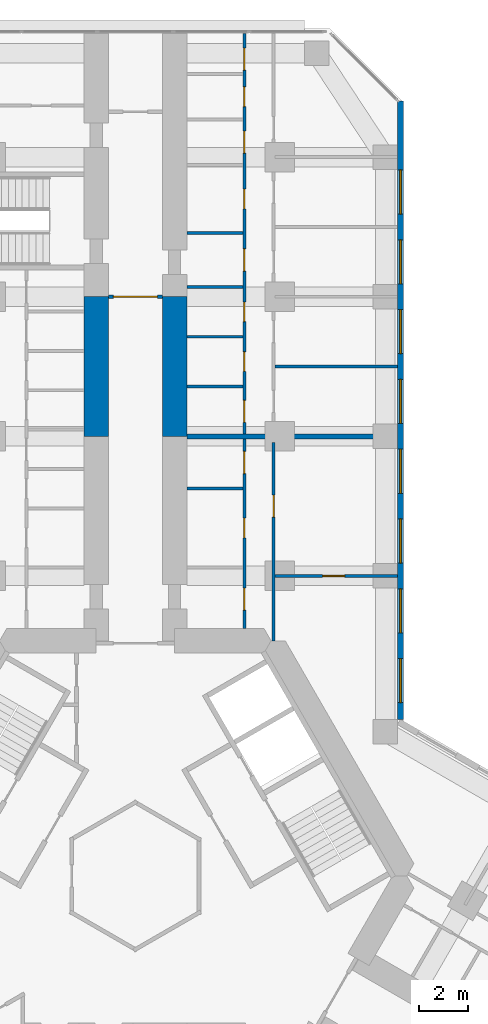
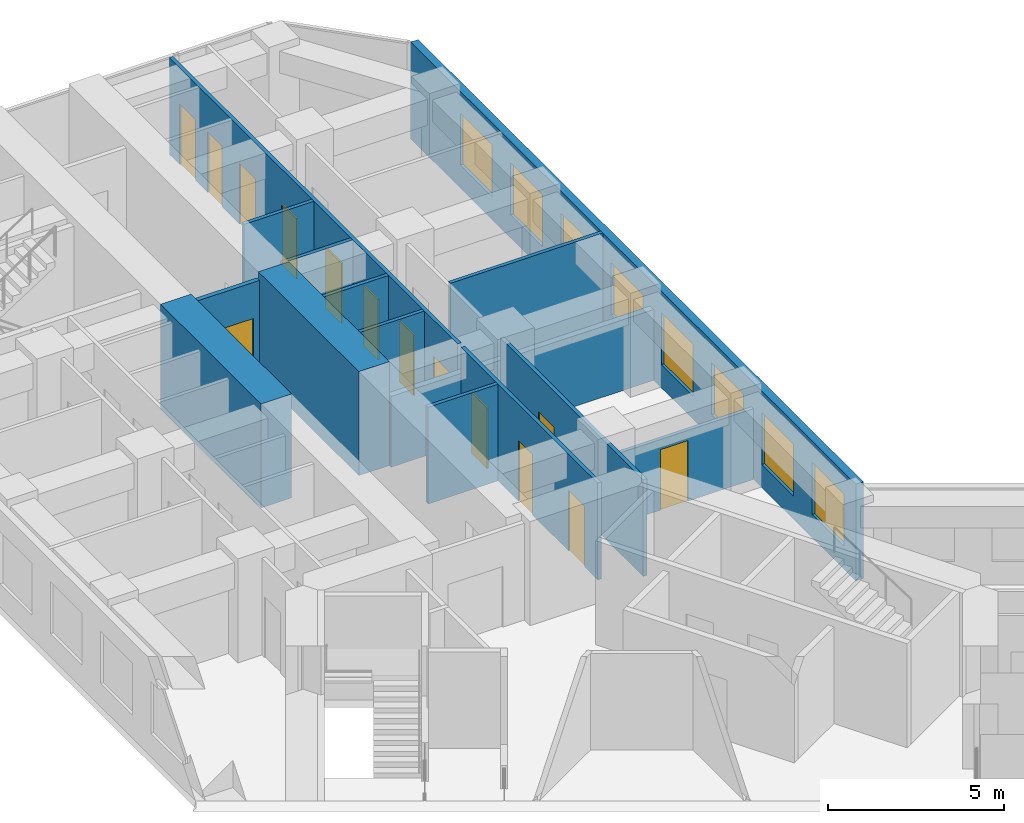
# One storey, part 18 of 21: 15 walls, 14 doors, 8 windows, 22 openings.
"""IFC4 building model written with IfcOpenShell, lengths in metres."""

from ifc_helpers import new_model, si_unit, direction, frame, frame_2d, origin, place, context, subcontext, project, spatial, rectangle, extrude, material, layer, layer_set, type_object, element, fill, save


model = new_model("IFC4")

# Units and contexts
model_context = context("Model", 3, precision=1e-05, world=origin(), true_north=direction((0.0, 1.0)))
body_context = subcontext(model_context, "Body", "Model", "MODEL_VIEW")
ifc_project = project(units=[si_unit("LENGTHUNIT", "METRE"), si_unit("AREAUNIT", "SQUARE_METRE"), si_unit("VOLUMEUNIT", "CUBIC_METRE"), si_unit("PLANEANGLEUNIT", "RADIAN"), si_unit("MASSUNIT", "GRAM", prefix="KILO")], contexts=[model_context])

# Site, building, storey
site_placement = place(None, origin())
site = spatial("IfcSite", under=ifc_project, at=site_placement, CompositionType="ELEMENT")
building_placement = place(site_placement, origin())
building = spatial("IfcBuilding", under=site, at=building_placement, Name="Kosmar Iwan School Tower", CompositionType="ELEMENT")
storey_placement = place(building_placement, frame((0.0, 0.0, 46.60009765625)))
storey = spatial("IfcBuildingStorey", under=building, at=storey_placement, Name="L10", CompositionType="ELEMENT", Elevation=46.60009765625)

# Walls
ifc_material_1 = material(Name="Concrete C50/60", Category="concrete")
ifc_layer_1 = layer(ifc_material_1, 1.0)
ifc_layer_set_1 = layer_set([ifc_layer_1], Name="Corridor buttress wall 1000")
wall_type_1 = type_object("IfcWallType", Name="Corridor buttress wall 1000", PredefinedType="SHEAR", material=ifc_layer_set_1)
for number, where, z_axis, x_axis, name in (
    (1, (-1.60009765625, 17.949951171875, 0.0), (0.0, 0.0, 1.0), (0.0, 1.0, 0.0), "Corridor wall AL bay 2"),
    (2, (1.60009765625, 17.949951171875, 0.0), (0.0, 0.0, 1.0), (0.0, 1.0, 0.0), "Corridor wall AR bay 2"),
):
    element("IfcWall", number, at=place(storey_placement, frame(where, z_axis=z_axis, x_axis=x_axis)), inside=storey, type_object=wall_type_1, Name=name, PredefinedType="SHEAR", context=body_context, shape_type="SweptSolid", body=[
        extrude(rectangle(XDim=5.699951171875, YDim=1.0, at=frame_2d((2.85009765625, 0.0))), origin(), (0.0, 0.0, 1.0), 3.599853515625),
    ])

# Wall, opening, door
ifc_material_2 = material(Name="Gypsum board on steel studs, fire-rated", Category="steel")
ifc_layer_2 = layer(ifc_material_2, 0.14990234375)
ifc_layer_set_2 = layer_set([ifc_layer_2], Name="Corridor end wall 150")
wall_type_2 = type_object("IfcWallType", Name="Corridor end wall 150", PredefinedType="PARTITIONING", material=ifc_layer_set_2)
wall_1_placement = place(storey_placement, frame((1.10009765625, 23.64990234375, 0.0), z_axis=(0.0, 0.0, 1.0), x_axis=(-1.0, 0.0, 0.0)))
wall_1 = element("IfcWall", 3, at=wall_1_placement, inside=storey, type_object=wall_type_2, Name="Partition L10-A-HW", PredefinedType="PARTITIONING", context=body_context, shape_type="SweptSolid", body=[
    extrude(rectangle(XDim=2.2001953125, YDim=0.14990234375, at=frame_2d((1.10009765625, 0.0))), origin(), (0.0, 0.0, 1.0), 3.349853515625),
])
opening_1_placement = place(wall_1_placement, frame((0.199951171875, 0.0, 0.0)))
opening_1 = element("IfcOpeningElement", 4, at=opening_1_placement, cuts=wall_1, Name="Opening D9", PredefinedType="OPENING", context=body_context, shape_type="SweptSolid", body=[
    extrude(rectangle(XDim=1.800048828125, YDim=2.10009765625, at=frame_2d((0.89990234375, 1.050048828125))), frame((0.0, 0.0869140625, 0.0), z_axis=(0.0, -1.0, 0.0), x_axis=(1.0, 0.0, 0.0)), (0.0, 0.0, 1.0), 0.173828125),
])
ifc_material_3 = material(Name="Steel framed glazed smoke door", Category="steel")
door_type_1 = type_object("IfcDoorType", Name="Corridor smoke door pair 1800x2100", OperationType="DOUBLE_DOOR_DOUBLE_SWING", PredefinedType="DOOR", material=ifc_material_3)
door_1_placement = place(opening_1_placement, origin())
door_1 = element("IfcDoor", 5, at=door_1_placement, inside=storey, type_object=door_type_1, Name="Entrance vestibule smoke doors L10-A", OperationType="DOUBLE_DOOR_DOUBLE_SWING", OverallHeight=2.10009765625, OverallWidth=1.800048828125, PredefinedType="DOOR", context=body_context, shape_type="SweptSolid", body=[
    extrude(rectangle(XDim=1.800048828125, YDim=2.10009765625, at=frame_2d((0.89990234375, 1.050048828125))), frame((0.0, 0.02490234375, 0.0), z_axis=(0.0, -1.0, 0.0), x_axis=(1.0, 0.0, 0.0)), (0.0, 0.0, 1.0), 0.050048828125),
])
fill(opening_1, door_1)

# Wall, openings, doors
ifc_material_4 = material(Name="Gypsum board on steel studs", Category="steel")
ifc_layer_3 = layer(ifc_material_4, 0.1201171875)
ifc_layer_set_3 = layer_set([ifc_layer_3], Name="Dwelling partition 120")
wall_type_3 = type_object("IfcWallType", Name="Dwelling partition 120", PredefinedType="PARTITIONING", material=ifc_layer_set_3)
wall_2_placement = place(storey_placement, frame((4.449951171875, 10.10009765625, 0.0), z_axis=(0.0, 0.0, 1.0), x_axis=(0.0, 1.0, 0.0)))
wall_2 = element("IfcWall", 6, at=wall_2_placement, inside=storey, type_object=wall_type_3, Name="Partition L10-AR1-W1", PredefinedType="PARTITIONING", context=body_context, shape_type="SweptSolid", body=[
    extrude(rectangle(XDim=7.75, YDim=0.1201171875, at=frame_2d((3.875, 0.0))), origin(), (0.0, 0.0, 1.0), 3.349853515625),
])
opening_2_placement = place(wall_2_placement, frame((0.75, 0.0, 0.0)))
opening_2 = element("IfcOpeningElement", 7, at=opening_2_placement, cuts=wall_2, Name="Opening D2", PredefinedType="OPENING", context=body_context, shape_type="SweptSolid", body=[
    extrude(rectangle(XDim=0.89990234375, YDim=2.10009765625, at=frame_2d((0.449951171875, 1.050048828125))), frame((0.0, 0.072021484375, 0.0), z_axis=(0.0, -1.0, 0.0), x_axis=(1.0, 0.0, 0.0)), (0.0, 0.0, 1.0), 0.14404296875),
])
opening_3_placement = place(wall_2_placement, frame((3.705078125, 0.0, 0.0)))
opening_3 = element("IfcOpeningElement", 8, at=opening_3_placement, cuts=wall_2, Name="Opening D3", PredefinedType="OPENING", context=body_context, shape_type="SweptSolid", body=[
    extrude(rectangle(XDim=0.800048828125, YDim=2.10009765625, at=frame_2d((0.39990234375, 1.050048828125))), frame((0.0, 0.072021484375, 0.0), z_axis=(0.0, -1.0, 0.0), x_axis=(1.0, 0.0, 0.0)), (0.0, 0.0, 1.0), 0.14404296875),
])
opening_4_placement = place(wall_2_placement, frame((6.330078125, 0.0, 0.0)))
opening_4 = element("IfcOpeningElement", 9, at=opening_4_placement, cuts=wall_2, Name="Opening D2", PredefinedType="OPENING", context=body_context, shape_type="SweptSolid", body=[
    extrude(rectangle(XDim=0.89990234375, YDim=2.10009765625, at=frame_2d((0.449951171875, 1.050048828125))), frame((0.0, 0.072021484375, 0.0), z_axis=(0.0, -1.0, 0.0), x_axis=(1.0, 0.0, 0.0)), (0.0, 0.0, 1.0), 0.14404296875),
])
ifc_material_5 = material(Name="Timber door in timber frame", Category="wood")
door_type_2 = type_object("IfcDoorType", Name="Internal door 900x2100", OperationType="SINGLE_SWING_LEFT", PredefinedType="DOOR", material=ifc_material_5)
door_2_placement = place(opening_2_placement, origin())
door_2 = element("IfcDoor", 10, at=door_2_placement, inside=storey, type_object=door_type_2, Name="Entrance hall door L10-AR1-S1", OperationType="SINGLE_SWING_LEFT", OverallHeight=2.10009765625, OverallWidth=0.89990234375, PredefinedType="DOOR", context=body_context, shape_type="SweptSolid", body=[
    extrude(rectangle(XDim=0.89990234375, YDim=2.10009765625, at=frame_2d((0.449951171875, 1.050048828125))), frame((0.0, 0.02490234375, 0.0), z_axis=(0.0, -1.0, 0.0), x_axis=(1.0, 0.0, 0.0)), (0.0, 0.0, 1.0), 0.050048828125),
])
fill(opening_2, door_2)
door_3_placement = place(opening_4_placement, origin())
door_3 = element("IfcDoor", 11, at=door_3_placement, inside=storey, type_object=door_type_2, Name="Pantry door L10-AR1-S3", OperationType="SINGLE_SWING_RIGHT", OverallHeight=2.10009765625, OverallWidth=0.89990234375, PredefinedType="DOOR", context=body_context, shape_type="SweptSolid", body=[
    extrude(rectangle(XDim=0.89990234375, YDim=2.10009765625, at=frame_2d((0.449951171875, 1.050048828125))), frame((0.0, 0.02490234375, 0.0), z_axis=(0.0, -1.0, 0.0), x_axis=(1.0, 0.0, 0.0)), (0.0, 0.0, 1.0), 0.050048828125),
])
fill(opening_4, door_3)
ifc_material_6 = material(Name="Timber door in timber frame", Category="wood")
door_type_3 = type_object("IfcDoorType", Name="Sanitary room door 800x2100", OperationType="SINGLE_SWING_LEFT", PredefinedType="DOOR", material=ifc_material_6)
door_4_placement = place(opening_3_placement, origin())
door_4 = element("IfcDoor", 12, at=door_4_placement, inside=storey, type_object=door_type_3, Name="Bathroom door L10-AR1-S2", OperationType="SINGLE_SWING_RIGHT", OverallHeight=2.10009765625, OverallWidth=0.800048828125, PredefinedType="DOOR", context=body_context, shape_type="SweptSolid", body=[
    extrude(rectangle(XDim=0.800048828125, YDim=2.10009765625, at=frame_2d((0.39990234375, 1.050048828125))), frame((0.0, 0.02490234375, 0.0), z_axis=(0.0, -1.0, 0.0), x_axis=(1.0, 0.0, 0.0)), (0.0, 0.0, 1.0), 0.050048828125),
])
fill(opening_3, door_4)

# Wall, opening, door
wall_3_placement = place(storey_placement, frame((5.64990234375, 9.60009765625, 0.0), z_axis=(0.0, 0.0, 1.0), x_axis=(0.0, 1.0, 0.0)))
wall_3 = element("IfcWall", 13, at=wall_3_placement, inside=storey, type_object=wall_type_3, Name="Partition L10-AR1-W2", PredefinedType="PARTITIONING", context=body_context, shape_type="SweptSolid", body=[
    extrude(rectangle(XDim=8.099853515625, YDim=0.1201171875, at=frame_2d((4.0498046875, 0.0))), origin(), (0.0, 0.0, 1.0), 3.349853515625),
])
opening_5_placement = place(wall_3_placement, frame((5.050048828125, 0.0, 0.0)))
opening_5 = element("IfcOpeningElement", 14, at=opening_5_placement, cuts=wall_3, Name="Opening D2", PredefinedType="OPENING", context=body_context, shape_type="SweptSolid", body=[
    extrude(rectangle(XDim=0.89990234375, YDim=2.10009765625, at=frame_2d((0.449951171875, 1.050048828125))), frame((0.0, 0.072021484375, 0.0), z_axis=(0.0, -1.0, 0.0), x_axis=(1.0, 0.0, 0.0)), (0.0, 0.0, 1.0), 0.14404296875),
])
door_5_placement = place(opening_5_placement, origin())
door_5 = element("IfcDoor", 15, at=door_5_placement, inside=storey, type_object=door_type_2, Name="Studio living room door L10-AR1-F2", OperationType="SINGLE_SWING_RIGHT", OverallHeight=2.10009765625, OverallWidth=0.89990234375, PredefinedType="DOOR", context=body_context, shape_type="SweptSolid", body=[
    extrude(rectangle(XDim=0.89990234375, YDim=2.10009765625, at=frame_2d((0.449951171875, 1.050048828125))), frame((0.0, 0.02490234375, 0.0), z_axis=(0.0, -1.0, 0.0), x_axis=(1.0, 0.0, 0.0)), (0.0, 0.0, 1.0), 0.050048828125),
])
fill(opening_5, door_5)

wall_4_placement = place(storey_placement, frame((5.7099609375, 12.25, 0.0), z_axis=(0.0, 0.0, 1.0), x_axis=(1.0, 0.0, 0.0)))
wall_4 = element("IfcWall", 16, at=wall_4_placement, inside=storey, type_object=wall_type_3, Name="Partition L10-AR1-X1", PredefinedType="PARTITIONING", context=body_context, shape_type="SweptSolid", body=[
    extrude(rectangle(XDim=4.989990234375, YDim=0.1201171875, at=frame_2d((2.4951171875, 0.0))), origin(), (0.0, 0.0, 1.0), 2.449951171875),
])
opening_6_placement = place(wall_4_placement, frame((1.93994140625, 0.0, 0.0)))
opening_6 = element("IfcOpeningElement", 17, at=opening_6_placement, cuts=wall_4, Name="Opening D2", PredefinedType="OPENING", context=body_context, shape_type="SweptSolid", body=[
    extrude(rectangle(XDim=0.89990234375, YDim=2.10009765625, at=frame_2d((0.449951171875, 1.050048828125))), frame((0.0, 0.072021484375, 0.0), z_axis=(0.0, -1.0, 0.0), x_axis=(1.0, 0.0, 0.0)), (0.0, 0.0, 1.0), 0.14404296875),
])
door_6_placement = place(opening_6_placement, origin())
door_6 = element("IfcDoor", 18, at=door_6_placement, inside=storey, type_object=door_type_2, Name="Kitchen and dining room door L10-AR1-F1", OperationType="SINGLE_SWING_LEFT", OverallHeight=2.10009765625, OverallWidth=0.89990234375, PredefinedType="DOOR", context=body_context, shape_type="SweptSolid", body=[
    extrude(rectangle(XDim=0.89990234375, YDim=2.10009765625, at=frame_2d((0.449951171875, 1.050048828125))), frame((0.0, 0.02490234375, 0.0), z_axis=(0.0, -1.0, 0.0), x_axis=(1.0, 0.0, 0.0)), (0.0, 0.0, 1.0), 0.050048828125),
])
fill(opening_6, door_6)

# Wall
wall_5_placement = place(storey_placement, frame((2.10009765625, 15.81005859375, 0.0), z_axis=(0.0, 0.0, 1.0), x_axis=(1.0, 0.0, 0.0)))
element("IfcWall", 19, at=wall_5_placement, inside=storey, type_object=wall_type_3, Name="Partition L10-AR1-Y2", PredefinedType="PARTITIONING", context=body_context, shape_type="SweptSolid", body=[
    extrude(rectangle(XDim=2.289794921875, YDim=0.1201171875, at=frame_2d((1.14501953125, 0.0))), origin(), (0.0, 0.0, 1.0), 3.349853515625),
])

# Wall, openings, doors
wall_6_placement = place(storey_placement, frame((4.449951171875, 18.050048828125, 0.0), z_axis=(0.0, 0.0, 1.0), x_axis=(0.0, 1.0, 0.0)))
wall_6 = element("IfcWall", 20, at=wall_6_placement, inside=storey, type_object=wall_type_3, Name="Partition L10-AR2-W1", PredefinedType="PARTITIONING", context=body_context, shape_type="SweptSolid", body=[
    extrude(rectangle(XDim=16.344970703125, YDim=0.1201171875, at=frame_2d((8.17236328125, 0.0))), origin(), (0.0, 0.0, 1.0), 3.349853515625),
])
opening_7_placement = place(wall_6_placement, frame((0.466796875, 0.0, 0.0)))
opening_7 = element("IfcOpeningElement", 21, at=opening_7_placement, cuts=wall_6, Name="Opening D2", PredefinedType="OPENING", context=body_context, shape_type="SweptSolid", body=[
    extrude(rectangle(XDim=0.89990234375, YDim=2.10009765625, at=frame_2d((0.449951171875, 1.050048828125))), frame((0.0, 0.072021484375, 0.0), z_axis=(0.0, -1.0, 0.0), x_axis=(1.0, 0.0, 0.0)), (0.0, 0.0, 1.0), 0.14404296875),
])
opening_8_placement = place(wall_6_placement, frame((2.550048828125, 0.0, 0.0)))
opening_8 = element("IfcOpeningElement", 22, at=opening_8_placement, cuts=wall_6, Name="Opening D3", PredefinedType="OPENING", context=body_context, shape_type="SweptSolid", body=[
    extrude(rectangle(XDim=0.800048828125, YDim=2.10009765625, at=frame_2d((0.39990234375, 1.050048828125))), frame((0.0, 0.072021484375, 0.0), z_axis=(0.0, -1.0, 0.0), x_axis=(1.0, 0.0, 0.0)), (0.0, 0.0, 1.0), 0.14404296875),
])
opening_9_placement = place(wall_6_placement, frame((4.583251953125, 0.0, 0.0)))
opening_9 = element("IfcOpeningElement", 23, at=opening_9_placement, cuts=wall_6, Name="Opening D3", PredefinedType="OPENING", context=body_context, shape_type="SweptSolid", body=[
    extrude(rectangle(XDim=0.800048828125, YDim=2.10009765625, at=frame_2d((0.39990234375, 1.050048828125))), frame((0.0, 0.072021484375, 0.0), z_axis=(0.0, -1.0, 0.0), x_axis=(1.0, 0.0, 0.0)), (0.0, 0.0, 1.0), 0.14404296875),
])
opening_10_placement = place(wall_6_placement, frame((6.64990234375, 0.0, 0.0)))
opening_10 = element("IfcOpeningElement", 24, at=opening_10_placement, cuts=wall_6, Name="Opening D2", PredefinedType="OPENING", context=body_context, shape_type="SweptSolid", body=[
    extrude(rectangle(XDim=0.89990234375, YDim=2.10009765625, at=frame_2d((0.449951171875, 1.050048828125))), frame((0.0, 0.072021484375, 0.0), z_axis=(0.0, -1.0, 0.0), x_axis=(1.0, 0.0, 0.0)), (0.0, 0.0, 1.0), 0.14404296875),
])
opening_11_placement = place(wall_6_placement, frame((9.191650390625, 0.0, 0.0)))
opening_11 = element("IfcOpeningElement", 25, at=opening_11_placement, cuts=wall_6, Name="Opening D3", PredefinedType="OPENING", context=body_context, shape_type="SweptSolid", body=[
    extrude(rectangle(XDim=0.800048828125, YDim=2.10009765625, at=frame_2d((0.39990234375, 1.050048828125))), frame((0.0, 0.072021484375, 0.0), z_axis=(0.0, -1.0, 0.0), x_axis=(1.0, 0.0, 0.0)), (0.0, 0.0, 1.0), 0.14404296875),
])
opening_12_placement = place(wall_6_placement, frame((11.461181640625, 0.0, 0.0)))
opening_12 = element("IfcOpeningElement", 26, at=opening_12_placement, cuts=wall_6, Name="Opening D2", PredefinedType="OPENING", context=body_context, shape_type="SweptSolid", body=[
    extrude(rectangle(XDim=0.89990234375, YDim=2.10009765625, at=frame_2d((0.449951171875, 1.050048828125))), frame((0.0, 0.072021484375, 0.0), z_axis=(0.0, -1.0, 0.0), x_axis=(1.0, 0.0, 0.0)), (0.0, 0.0, 1.0), 0.14404296875),
])
opening_13_placement = place(wall_6_placement, frame((13.36669921875, 0.0, 0.0)))
opening_13 = element("IfcOpeningElement", 27, at=opening_13_placement, cuts=wall_6, Name="Opening D3", PredefinedType="OPENING", context=body_context, shape_type="SweptSolid", body=[
    extrude(rectangle(XDim=0.800048828125, YDim=2.10009765625, at=frame_2d((0.39990234375, 1.050048828125))), frame((0.0, 0.072021484375, 0.0), z_axis=(0.0, -1.0, 0.0), x_axis=(1.0, 0.0, 0.0)), (0.0, 0.0, 1.0), 0.14404296875),
])
opening_14_placement = place(wall_6_placement, frame((14.8544921875, 0.0, 0.0)))
opening_14 = element("IfcOpeningElement", 28, at=opening_14_placement, cuts=wall_6, Name="Opening D2", PredefinedType="OPENING", context=body_context, shape_type="SweptSolid", body=[
    extrude(rectangle(XDim=0.89990234375, YDim=2.10009765625, at=frame_2d((0.449951171875, 1.050048828125))), frame((0.0, 0.072021484375, 0.0), z_axis=(0.0, -1.0, 0.0), x_axis=(1.0, 0.0, 0.0)), (0.0, 0.0, 1.0), 0.14404296875),
])
door_7_placement = place(opening_7_placement, origin())
door_7 = element("IfcDoor", 29, at=door_7_placement, inside=storey, type_object=door_type_2, Name="Utility room door L10-AR2-S1", OperationType="SINGLE_SWING_LEFT", OverallHeight=2.10009765625, OverallWidth=0.89990234375, PredefinedType="DOOR", context=body_context, shape_type="SweptSolid", body=[
    extrude(rectangle(XDim=0.89990234375, YDim=2.10009765625, at=frame_2d((0.449951171875, 1.050048828125))), frame((0.0, 0.02490234375, 0.0), z_axis=(0.0, -1.0, 0.0), x_axis=(1.0, 0.0, 0.0)), (0.0, 0.0, 1.0), 0.050048828125),
])
fill(opening_7, door_7)
door_8_placement = place(opening_10_placement, origin())
door_8 = element("IfcDoor", 30, at=door_8_placement, inside=storey, type_object=door_type_2, Name="Entrance hall door L10-AR2-S4", OperationType="SINGLE_SWING_RIGHT", OverallHeight=2.10009765625, OverallWidth=0.89990234375, PredefinedType="DOOR", context=body_context, shape_type="SweptSolid", body=[
    extrude(rectangle(XDim=0.89990234375, YDim=2.10009765625, at=frame_2d((0.449951171875, 1.050048828125))), frame((0.0, 0.02490234375, 0.0), z_axis=(0.0, -1.0, 0.0), x_axis=(1.0, 0.0, 0.0)), (0.0, 0.0, 1.0), 0.050048828125),
])
fill(opening_10, door_8)
door_9_placement = place(opening_12_placement, origin())
door_9 = element("IfcDoor", 31, at=door_9_placement, inside=storey, type_object=door_type_2, Name="Pantry door L10-AR2-S6", OperationType="SINGLE_SWING_RIGHT", OverallHeight=2.10009765625, OverallWidth=0.89990234375, PredefinedType="DOOR", context=body_context, shape_type="SweptSolid", body=[
    extrude(rectangle(XDim=0.89990234375, YDim=2.10009765625, at=frame_2d((0.449951171875, 1.050048828125))), frame((0.0, 0.02490234375, 0.0), z_axis=(0.0, -1.0, 0.0), x_axis=(1.0, 0.0, 0.0)), (0.0, 0.0, 1.0), 0.050048828125),
])
fill(opening_12, door_9)
door_10_placement = place(opening_14_placement, origin())
door_10 = element("IfcDoor", 32, at=door_10_placement, inside=storey, type_object=door_type_2, Name="Dressing room door L10-AR2-S8", OperationType="SINGLE_SWING_LEFT", OverallHeight=2.10009765625, OverallWidth=0.89990234375, PredefinedType="DOOR", context=body_context, shape_type="SweptSolid", body=[
    extrude(rectangle(XDim=0.89990234375, YDim=2.10009765625, at=frame_2d((0.449951171875, 1.050048828125))), frame((0.0, 0.02490234375, 0.0), z_axis=(0.0, -1.0, 0.0), x_axis=(1.0, 0.0, 0.0)), (0.0, 0.0, 1.0), 0.050048828125),
])
fill(opening_14, door_10)
door_11_placement = place(opening_8_placement, origin())
door_11 = element("IfcDoor", 33, at=door_11_placement, inside=storey, type_object=door_type_3, Name="WC door L10-AR2-S2", OperationType="SINGLE_SWING_RIGHT", OverallHeight=2.10009765625, OverallWidth=0.800048828125, PredefinedType="DOOR", context=body_context, shape_type="SweptSolid", body=[
    extrude(rectangle(XDim=0.800048828125, YDim=2.10009765625, at=frame_2d((0.39990234375, 1.050048828125))), frame((0.0, 0.02490234375, 0.0), z_axis=(0.0, -1.0, 0.0), x_axis=(1.0, 0.0, 0.0)), (0.0, 0.0, 1.0), 0.050048828125),
])
fill(opening_8, door_11)
door_12_placement = place(opening_9_placement, origin())
door_12 = element("IfcDoor", 34, at=door_12_placement, inside=storey, type_object=door_type_3, Name="Shower room door L10-AR2-S3", OperationType="SINGLE_SWING_LEFT", OverallHeight=2.10009765625, OverallWidth=0.800048828125, PredefinedType="DOOR", context=body_context, shape_type="SweptSolid", body=[
    extrude(rectangle(XDim=0.800048828125, YDim=2.10009765625, at=frame_2d((0.39990234375, 1.050048828125))), frame((0.0, 0.02490234375, 0.0), z_axis=(0.0, -1.0, 0.0), x_axis=(1.0, 0.0, 0.0)), (0.0, 0.0, 1.0), 0.050048828125),
])
fill(opening_9, door_12)
door_13_placement = place(opening_11_placement, origin())
door_13 = element("IfcDoor", 35, at=door_13_placement, inside=storey, type_object=door_type_3, Name="Bathroom door L10-AR2-S5", OperationType="SINGLE_SWING_LEFT", OverallHeight=2.10009765625, OverallWidth=0.800048828125, PredefinedType="DOOR", context=body_context, shape_type="SweptSolid", body=[
    extrude(rectangle(XDim=0.800048828125, YDim=2.10009765625, at=frame_2d((0.39990234375, 1.050048828125))), frame((0.0, 0.02490234375, 0.0), z_axis=(0.0, -1.0, 0.0), x_axis=(1.0, 0.0, 0.0)), (0.0, 0.0, 1.0), 0.050048828125),
])
fill(opening_11, door_13)
door_14_placement = place(opening_13_placement, origin())
door_14 = element("IfcDoor", 36, at=door_14_placement, inside=storey, type_object=door_type_3, Name="Store door L10-AR2-S7", OperationType="SINGLE_SWING_LEFT", OverallHeight=2.10009765625, OverallWidth=0.800048828125, PredefinedType="DOOR", context=body_context, shape_type="SweptSolid", body=[
    extrude(rectangle(XDim=0.800048828125, YDim=2.10009765625, at=frame_2d((0.39990234375, 1.050048828125))), frame((0.0, 0.02490234375, 0.0), z_axis=(0.0, -1.0, 0.0), x_axis=(1.0, 0.0, 0.0)), (0.0, 0.0, 1.0), 0.050048828125),
])
fill(opening_13, door_14)

# Walls
wall_7_placement = place(storey_placement, frame((5.7099609375, 20.800048828125, 0.0), z_axis=(0.0, 0.0, 1.0), x_axis=(1.0, 0.0, 0.0)))
element("IfcWall", 37, at=wall_7_placement, inside=storey, type_object=wall_type_3, Name="Partition L10-AR2-X1", PredefinedType="PARTITIONING", context=body_context, shape_type="SweptSolid", body=[
    extrude(rectangle(XDim=4.989990234375, YDim=0.1201171875, at=frame_2d((2.4951171875, 0.0))), origin(), (0.0, 0.0, 1.0), 3.349853515625),
])
for number, where, z_axis, x_axis, name in (
    (38, (2.10009765625, 19.9833984375, 0.0), (0.0, 0.0, 1.0), (1.0, 0.0, 0.0), "Partition L10-AR2-Y1"),
    (39, (2.10009765625, 22.0166015625, 0.0), (0.0, 0.0, 1.0), (1.0, 0.0, 0.0), "Partition L10-AR2-Y2"),
    (40, (2.10009765625, 24.050048828125, 0.0), (0.0, 0.0, 1.0), (1.0, 0.0, 0.0), "Partition L10-AR2-Y3"),
    (41, (2.10009765625, 26.25, 0.0), (0.0, 0.0, 1.0), (1.0, 0.0, 0.0), "Partition L10-AR2-Y4"),
):
    element("IfcWall", number, at=place(storey_placement, frame(where, z_axis=z_axis, x_axis=x_axis)), inside=storey, type_object=wall_type_3, Name=name, PredefinedType="PARTITIONING", context=body_context, shape_type="SweptSolid", body=[
        extrude(rectangle(XDim=2.289794921875, YDim=0.1201171875, at=frame_2d((1.14501953125, 0.0))), origin(), (0.0, 0.0, 1.0), 3.349853515625),
    ])

# Wall, openings, windows
ifc_material_7 = material(Name="Black aluminium rainscreen on insulated framing", Category="aluminium")
ifc_layer_4 = layer(ifc_material_7, 0.25)
ifc_layer_set_4 = layer_set([ifc_layer_4], Name="External wall rainscreen 250")
wall_type_4 = type_object("IfcWallType", Name="External wall rainscreen 250", PredefinedType="SOLIDWALL", material=ifc_layer_set_4)
wall_8_placement = place(storey_placement, frame((10.824951171875, 6.39404296875, 0.0), z_axis=(0.0, 0.0, 1.0), x_axis=(0.0, 1.0, 0.0)))
wall_8 = element("IfcWall", 42, at=wall_8_placement, inside=storey, type_object=wall_type_4, Name="External wall AR L10", PredefinedType="SOLIDWALL", context=body_context, shape_type="SweptSolid", body=[
    extrude(rectangle(XDim=25.2412109375, YDim=0.25, at=frame_2d((12.62060546875, 0.0))), origin(), (0.0, 0.0, 1.0), 3.349853515625),
])
opening_15_placement = place(wall_8_placement, frame((0.680908203125, 0.0, 0.800048828125)))
opening_15 = element("IfcOpeningElement", 43, at=opening_15_placement, cuts=wall_8, Name="Opening W1", PredefinedType="OPENING", context=body_context, shape_type="SweptSolid", body=[
    extrude(rectangle(XDim=1.800048828125, YDim=1.800048828125, at=frame_2d((0.89990234375, 0.89990234375))), frame((0.0, 0.136962890625, 0.0), z_axis=(0.0, -1.0, 0.0), x_axis=(1.0, 0.0, 0.0)), (0.0, 0.0, 1.0), 0.27392578125),
])
opening_16_placement = place(wall_8_placement, frame((3.53076171875, 0.0, 0.800048828125)))
opening_16 = element("IfcOpeningElement", 44, at=opening_16_placement, cuts=wall_8, Name="Opening W1", PredefinedType="OPENING", context=body_context, shape_type="SweptSolid", body=[
    extrude(rectangle(XDim=1.800048828125, YDim=1.800048828125, at=frame_2d((0.89990234375, 0.89990234375))), frame((0.0, 0.136962890625, 0.0), z_axis=(0.0, -1.0, 0.0), x_axis=(1.0, 0.0, 0.0)), (0.0, 0.0, 1.0), 0.27392578125),
])
opening_17_placement = place(wall_8_placement, frame((6.380859375, 0.0, 0.800048828125)))
opening_17 = element("IfcOpeningElement", 45, at=opening_17_placement, cuts=wall_8, Name="Opening W1", PredefinedType="OPENING", context=body_context, shape_type="SweptSolid", body=[
    extrude(rectangle(XDim=1.800048828125, YDim=1.800048828125, at=frame_2d((0.89990234375, 0.89990234375))), frame((0.0, 0.136962890625, 0.0), z_axis=(0.0, -1.0, 0.0), x_axis=(1.0, 0.0, 0.0)), (0.0, 0.0, 1.0), 0.27392578125),
])
opening_18_placement = place(wall_8_placement, frame((9.23095703125, 0.0, 0.800048828125)))
opening_18 = element("IfcOpeningElement", 46, at=opening_18_placement, cuts=wall_8, Name="Opening W1", PredefinedType="OPENING", context=body_context, shape_type="SweptSolid", body=[
    extrude(rectangle(XDim=1.800048828125, YDim=1.800048828125, at=frame_2d((0.89990234375, 0.89990234375))), frame((0.0, 0.136962890625, 0.0), z_axis=(0.0, -1.0, 0.0), x_axis=(1.0, 0.0, 0.0)), (0.0, 0.0, 1.0), 0.27392578125),
])
opening_19_placement = place(wall_8_placement, frame((12.080810546875, 0.0, 0.800048828125)))
opening_19 = element("IfcOpeningElement", 47, at=opening_19_placement, cuts=wall_8, Name="Opening W1", PredefinedType="OPENING", context=body_context, shape_type="SweptSolid", body=[
    extrude(rectangle(XDim=1.800048828125, YDim=1.800048828125, at=frame_2d((0.89990234375, 0.89990234375))), frame((0.0, 0.136962890625, 0.0), z_axis=(0.0, -1.0, 0.0), x_axis=(1.0, 0.0, 0.0)), (0.0, 0.0, 1.0), 0.27392578125),
])
opening_20_placement = place(wall_8_placement, frame((14.930908203125, 0.0, 0.800048828125)))
opening_20 = element("IfcOpeningElement", 48, at=opening_20_placement, cuts=wall_8, Name="Opening W1", PredefinedType="OPENING", context=body_context, shape_type="SweptSolid", body=[
    extrude(rectangle(XDim=1.800048828125, YDim=1.800048828125, at=frame_2d((0.89990234375, 0.89990234375))), frame((0.0, 0.136962890625, 0.0), z_axis=(0.0, -1.0, 0.0), x_axis=(1.0, 0.0, 0.0)), (0.0, 0.0, 1.0), 0.27392578125),
])
opening_21_placement = place(wall_8_placement, frame((17.78076171875, 0.0, 0.800048828125)))
opening_21 = element("IfcOpeningElement", 49, at=opening_21_placement, cuts=wall_8, Name="Opening W1", PredefinedType="OPENING", context=body_context, shape_type="SweptSolid", body=[
    extrude(rectangle(XDim=1.800048828125, YDim=1.800048828125, at=frame_2d((0.89990234375, 0.89990234375))), frame((0.0, 0.136962890625, 0.0), z_axis=(0.0, -1.0, 0.0), x_axis=(1.0, 0.0, 0.0)), (0.0, 0.0, 1.0), 0.27392578125),
])
opening_22_placement = place(wall_8_placement, frame((20.630859375, 0.0, 0.800048828125)))
opening_22 = element("IfcOpeningElement", 50, at=opening_22_placement, cuts=wall_8, Name="Opening W1", PredefinedType="OPENING", context=body_context, shape_type="SweptSolid", body=[
    extrude(rectangle(XDim=1.800048828125, YDim=1.800048828125, at=frame_2d((0.89990234375, 0.89990234375))), frame((0.0, 0.136962890625, 0.0), z_axis=(0.0, -1.0, 0.0), x_axis=(1.0, 0.0, 0.0)), (0.0, 0.0, 1.0), 0.27392578125),
])
ifc_material_8 = material(Name="Black aluminium frame with dark triple glazing", Category="aluminium")
window_type = type_object("IfcWindowType", Name="Window 1800x1800", PartitioningType="SINGLE_PANEL", PredefinedType="WINDOW", material=ifc_material_8)
window_1_placement = place(opening_15_placement, origin())
window_1 = element("IfcWindow", 51, at=window_1_placement, inside=storey, type_object=window_type, Name="Window AR L10 -1", OverallHeight=1.800048828125, OverallWidth=1.800048828125, PartitioningType="SINGLE_PANEL", PredefinedType="WINDOW", context=body_context, shape_type="SweptSolid", body=[
    extrude(rectangle(XDim=1.800048828125, YDim=1.800048828125, at=frame_2d((0.89990234375, 0.89990234375))), frame((0.0, 0.030029296875, 0.0), z_axis=(0.0, -1.0, 0.0), x_axis=(1.0, 0.0, 0.0)), (0.0, 0.0, 1.0), 0.06005859375),
])
fill(opening_15, window_1)
window_2_placement = place(opening_16_placement, origin())
window_2 = element("IfcWindow", 52, at=window_2_placement, inside=storey, type_object=window_type, Name="Window AR L10 0", OverallHeight=1.800048828125, OverallWidth=1.800048828125, PartitioningType="SINGLE_PANEL", PredefinedType="WINDOW", context=body_context, shape_type="SweptSolid", body=[
    extrude(rectangle(XDim=1.800048828125, YDim=1.800048828125, at=frame_2d((0.89990234375, 0.89990234375))), frame((0.0, 0.030029296875, 0.0), z_axis=(0.0, -1.0, 0.0), x_axis=(1.0, 0.0, 0.0)), (0.0, 0.0, 1.0), 0.06005859375),
])
fill(opening_16, window_2)
window_3_placement = place(opening_17_placement, origin())
window_3 = element("IfcWindow", 53, at=window_3_placement, inside=storey, type_object=window_type, Name="Window AR L10 1", OverallHeight=1.800048828125, OverallWidth=1.800048828125, PartitioningType="SINGLE_PANEL", PredefinedType="WINDOW", context=body_context, shape_type="SweptSolid", body=[
    extrude(rectangle(XDim=1.800048828125, YDim=1.800048828125, at=frame_2d((0.89990234375, 0.89990234375))), frame((0.0, 0.030029296875, 0.0), z_axis=(0.0, -1.0, 0.0), x_axis=(1.0, 0.0, 0.0)), (0.0, 0.0, 1.0), 0.06005859375),
])
fill(opening_17, window_3)
window_4_placement = place(opening_18_placement, origin())
window_4 = element("IfcWindow", 54, at=window_4_placement, inside=storey, type_object=window_type, Name="Window AR L10 2", OverallHeight=1.800048828125, OverallWidth=1.800048828125, PartitioningType="SINGLE_PANEL", PredefinedType="WINDOW", context=body_context, shape_type="SweptSolid", body=[
    extrude(rectangle(XDim=1.800048828125, YDim=1.800048828125, at=frame_2d((0.89990234375, 0.89990234375))), frame((0.0, 0.030029296875, 0.0), z_axis=(0.0, -1.0, 0.0), x_axis=(1.0, 0.0, 0.0)), (0.0, 0.0, 1.0), 0.06005859375),
])
fill(opening_18, window_4)
window_5_placement = place(opening_19_placement, origin())
window_5 = element("IfcWindow", 55, at=window_5_placement, inside=storey, type_object=window_type, Name="Window AR L10 3", OverallHeight=1.800048828125, OverallWidth=1.800048828125, PartitioningType="SINGLE_PANEL", PredefinedType="WINDOW", context=body_context, shape_type="SweptSolid", body=[
    extrude(rectangle(XDim=1.800048828125, YDim=1.800048828125, at=frame_2d((0.89990234375, 0.89990234375))), frame((0.0, 0.030029296875, 0.0), z_axis=(0.0, -1.0, 0.0), x_axis=(1.0, 0.0, 0.0)), (0.0, 0.0, 1.0), 0.06005859375),
])
fill(opening_19, window_5)
window_6_placement = place(opening_20_placement, origin())
window_6 = element("IfcWindow", 56, at=window_6_placement, inside=storey, type_object=window_type, Name="Window AR L10 4", OverallHeight=1.800048828125, OverallWidth=1.800048828125, PartitioningType="SINGLE_PANEL", PredefinedType="WINDOW", context=body_context, shape_type="SweptSolid", body=[
    extrude(rectangle(XDim=1.800048828125, YDim=1.800048828125, at=frame_2d((0.89990234375, 0.89990234375))), frame((0.0, 0.030029296875, 0.0), z_axis=(0.0, -1.0, 0.0), x_axis=(1.0, 0.0, 0.0)), (0.0, 0.0, 1.0), 0.06005859375),
])
fill(opening_20, window_6)
window_7_placement = place(opening_21_placement, origin())
window_7 = element("IfcWindow", 57, at=window_7_placement, inside=storey, type_object=window_type, Name="Window AR L10 5", OverallHeight=1.800048828125, OverallWidth=1.800048828125, PartitioningType="SINGLE_PANEL", PredefinedType="WINDOW", context=body_context, shape_type="SweptSolid", body=[
    extrude(rectangle(XDim=1.800048828125, YDim=1.800048828125, at=frame_2d((0.89990234375, 0.89990234375))), frame((0.0, 0.030029296875, 0.0), z_axis=(0.0, -1.0, 0.0), x_axis=(1.0, 0.0, 0.0)), (0.0, 0.0, 1.0), 0.06005859375),
])
fill(opening_21, window_7)
window_8_placement = place(opening_22_placement, origin())
window_8 = element("IfcWindow", 58, at=window_8_placement, inside=storey, type_object=window_type, Name="Window AR L10 6", OverallHeight=1.800048828125, OverallWidth=1.800048828125, PartitioningType="SINGLE_PANEL", PredefinedType="WINDOW", context=body_context, shape_type="SweptSolid", body=[
    extrude(rectangle(XDim=1.800048828125, YDim=1.800048828125, at=frame_2d((0.89990234375, 0.89990234375))), frame((0.0, 0.030029296875, 0.0), z_axis=(0.0, -1.0, 0.0), x_axis=(1.0, 0.0, 0.0)), (0.0, 0.0, 1.0), 0.06005859375),
])
fill(opening_22, window_8)

# Wall
ifc_material_9 = material(Name="Concrete block masonry", Category="masonry")
ifc_layer_5 = layer(ifc_material_9, 0.199951171875)
ifc_layer_set_5 = layer_set([ifc_layer_5], Name="Party wall 200")
wall_type_5 = type_object("IfcWallType", Name="Party wall 200", PredefinedType="PARTITIONING", material=ifc_layer_set_5)
wall_9_placement = place(storey_placement, frame((2.10009765625, 17.949951171875, 0.0), z_axis=(0.0, 0.0, 1.0), x_axis=(1.0, 0.0, 0.0)))
element("IfcWall", 59, at=wall_9_placement, inside=storey, type_object=wall_type_5, Name="Partition L10-AR2-PW", PredefinedType="PARTITIONING", context=body_context, shape_type="SweptSolid", body=[
    extrude(rectangle(XDim=8.599853515625, YDim=0.199951171875, at=frame_2d((4.2998046875, 0.0))), origin(), (0.0, 0.0, 1.0), 2.449951171875),
])

save(model, "model.ifc")
